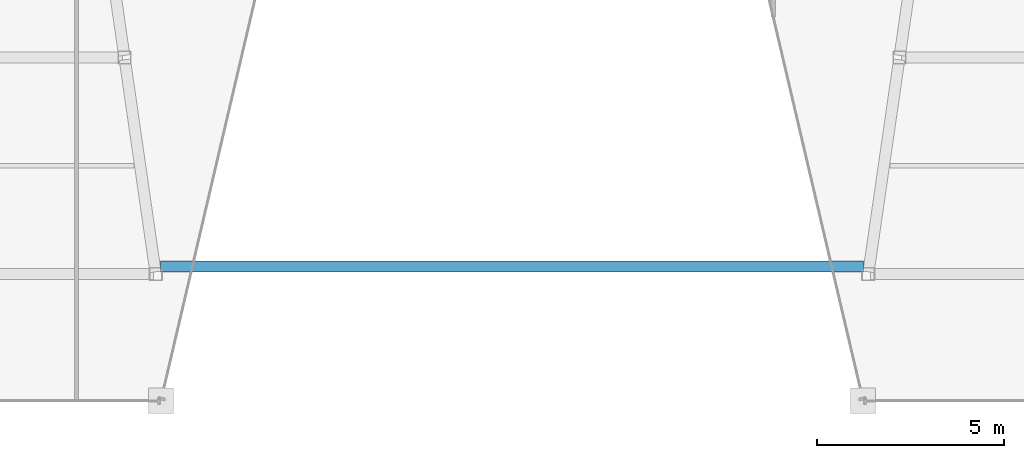
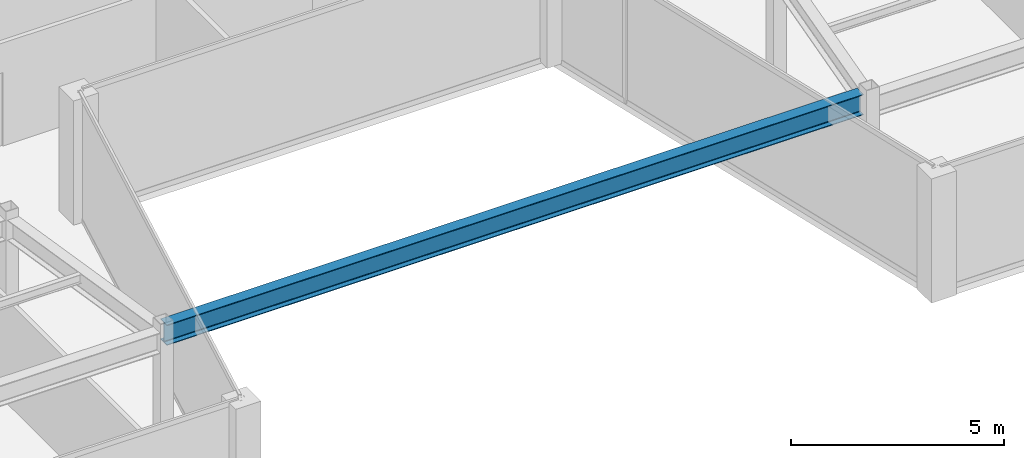
# One storey, part 7 of 32: 1 beam.
"""IFC4 building model written with IfcOpenShell, lengths in metres."""

from ifc_helpers import new_model, si_unit, direction, frame, origin, origin_2d, place, context, subcontext, project, spatial, i_section, extrude, material, material_profile, profile_set, type_object, element, save


model = new_model("IFC4")

# Units and contexts
model_context = context("Model", 3, precision=1e-05, world=origin(), true_north=direction((0.0, 1.0)))
body_context = subcontext(model_context, "Body", "Model", "MODEL_VIEW")
ifc_project = project(units=[si_unit("LENGTHUNIT", "METRE"), si_unit("AREAUNIT", "SQUARE_METRE"), si_unit("VOLUMEUNIT", "CUBIC_METRE"), si_unit("PLANEANGLEUNIT", "RADIAN"), si_unit("MASSUNIT", "GRAM", prefix="KILO")], contexts=[model_context])

# Site, building, storey
site_placement = place(None, origin())
site = spatial("IfcSite", under=ifc_project, at=site_placement, CompositionType="ELEMENT")
building_placement = place(site_placement, origin())
building = spatial("IfcBuilding", under=site, at=building_placement, Name="Saevonmaru Cultural Tower", CompositionType="ELEMENT")
storey_placement = place(building_placement, frame((0.0, 0.0, 264.800048828125)))
storey = spatial("IfcBuildingStorey", under=building, at=storey_placement, Name="L62", CompositionType="ELEMENT", Elevation=264.800048828125)

# Beam
ifc_material = material(Name="Steel SM355", Category="steel")
ifc_material_profile = material_profile(ifc_material, i_section(OverallWidth=0.300048828125, OverallDepth=0.587890625, WebThickness=0.011962890625, FlangeThickness=0.02001953125, FilletRadius=0.02392578125, at=origin_2d()), Name="H-588x300x12x20")
ifc_profile_set = profile_set([ifc_material_profile], Name="Steel SM355")
beam_type = type_object("IfcBeamType", Name="BM-G-H588", PredefinedType="BEAM", material=ifc_profile_set)
beam_placement = place(storey_placement, frame((20.5830078125, 26.39990234375, 3.255859375), z_axis=(1.0, 0.0, 0.0), x_axis=(0.0, 1.0, 0.0)))
element("IfcBeam", 1, at=beam_placement, inside=storey, type_object=beam_type, Name="L62 Central Link Girder", PredefinedType="BEAM", context=body_context, shape_type="SweptSolid", body=[
    extrude(i_section(OverallWidth=0.300048828125, OverallDepth=0.587890625, WebThickness=0.011962890625, FlangeThickness=0.02001953125, FilletRadius=0.02392578125, at=origin_2d()), origin(), (0.0, 0.0, 1.0), 18.833984375),
])

save(model, "model.ifc")
